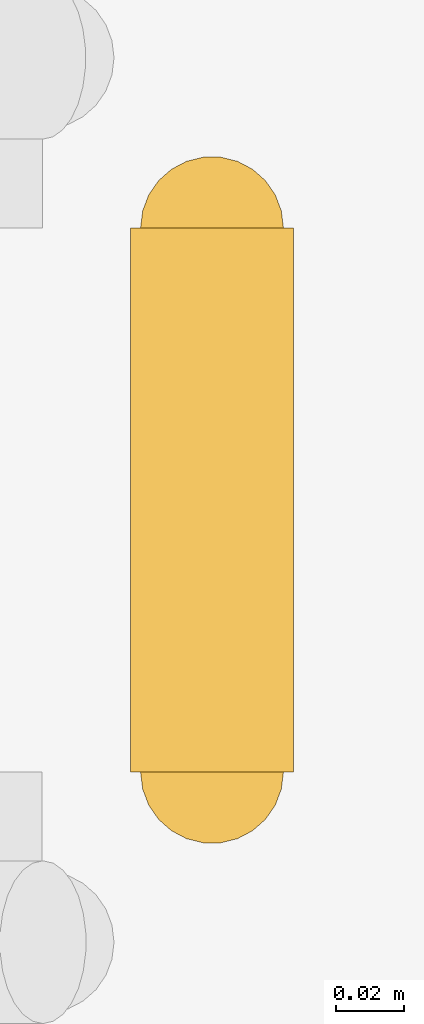
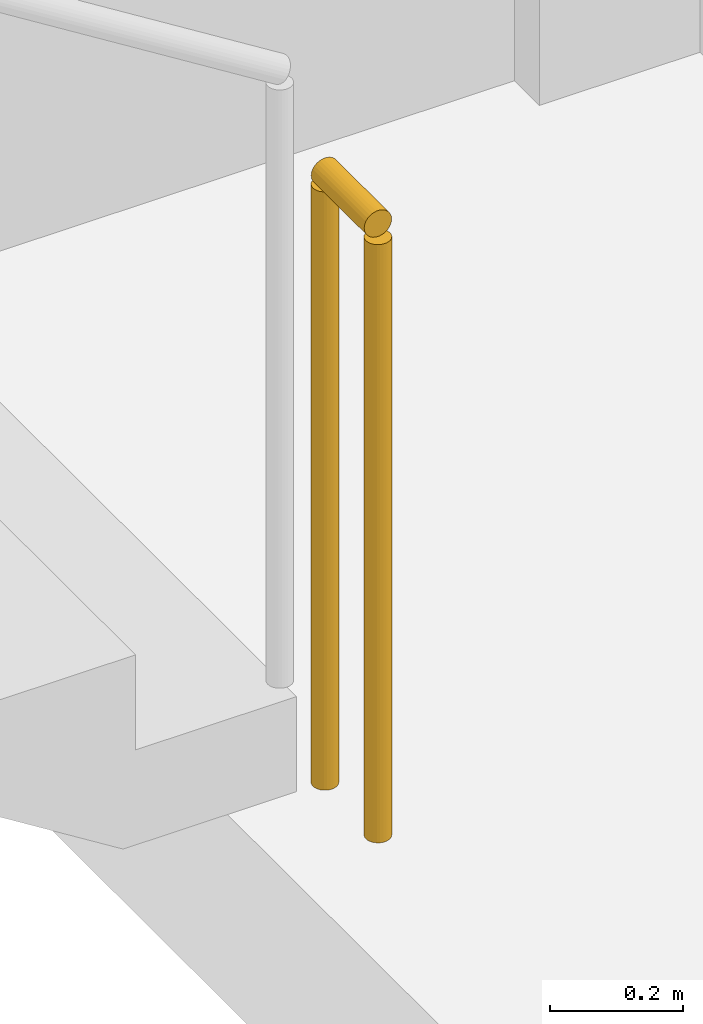
# One storey, part 18 of 19: 1 railing.
"""IFC4 building model written with IfcOpenShell, lengths in metres."""

from ifc_helpers import new_model, si_unit, direction, frame, origin, origin_2d, place, context, subcontext, project, spatial, circle, extrude, material, type_object, element, save


model = new_model("IFC4")

# Units and contexts
model_context = context("Model", 3, precision=1e-05, world=origin(), true_north=direction((0.0, 1.0)))
body_context = subcontext(model_context, "Body", "Model", "MODEL_VIEW")
ifc_project = project(units=[si_unit("LENGTHUNIT", "METRE"), si_unit("AREAUNIT", "SQUARE_METRE"), si_unit("VOLUMEUNIT", "CUBIC_METRE"), si_unit("PLANEANGLEUNIT", "RADIAN"), si_unit("MASSUNIT", "GRAM", prefix="KILO")], contexts=[model_context])

# Site, building, storey
site_placement = place(None, origin())
site = spatial("IfcSite", under=ifc_project, at=site_placement, CompositionType="ELEMENT")
building_placement = place(site_placement, origin())
building = spatial("IfcBuilding", under=site, at=building_placement, Name="Drelvath Grand Hotel", CompositionType="ELEMENT")
storey_placement = place(building_placement, frame((0.0, 0.0, 27.60009765625)))
storey = spatial("IfcBuildingStorey", under=building, at=storey_placement, Name="L05", CompositionType="ELEMENT", Elevation=27.60009765625)

# Railing
ifc_material = material(Name="Painted Steel S275", Category="steel")
railing_type = type_object("IfcRailingType", Name="Core Stair Well Guardrail 1100", PredefinedType="GUARDRAIL", material=ifc_material)
railing_placement = place(storey_placement, frame((6.64990234375, 26.679931640625, 0.0)))
element("IfcRailing", 1, at=railing_placement, inside=storey, type_object=railing_type, Name="L05 ST-2 stair guard 4", PredefinedType="GUARDRAIL", context=body_context, shape_type="SweptSolid", body=[
    extrude(circle(Radius=0.02392578125, at=origin_2d()), frame((0.0, 0.0, 1.1259765625), z_axis=(0.0, -1.0, 0.0), x_axis=(1.0, 0.0, 0.0)), (0.0, 0.0, 1.0), 0.159912109375),
    extrude(circle(Radius=0.02099609375, at=origin_2d()), origin(), (0.0, 0.0, 1.0), 1.101806640625),
    extrude(circle(Radius=0.02099609375, at=origin_2d()), frame((0.0, -0.159912109375, 0.0)), (0.0, 0.0, 1.0), 1.101806640625),
])

save(model, "model.ifc")
